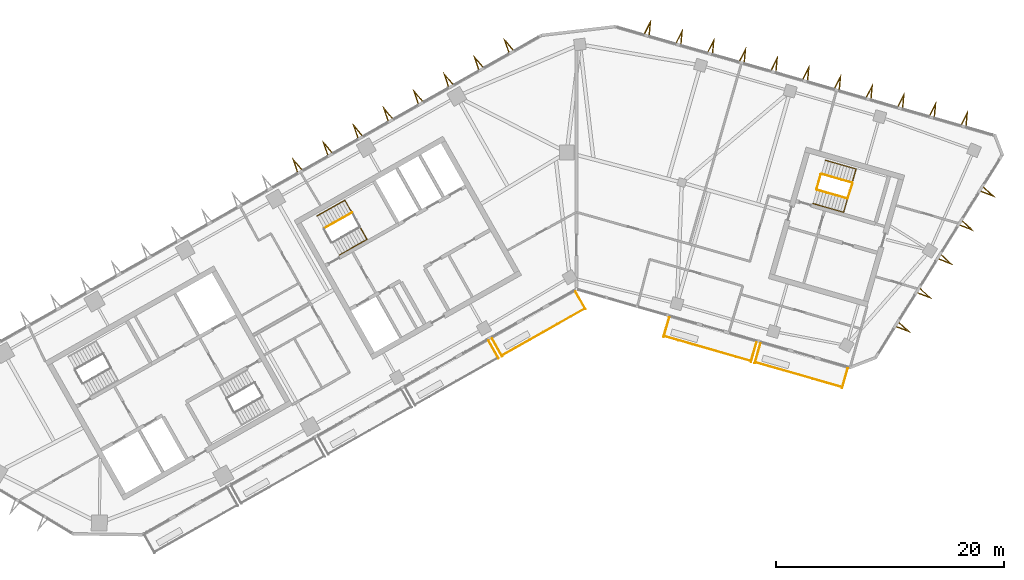
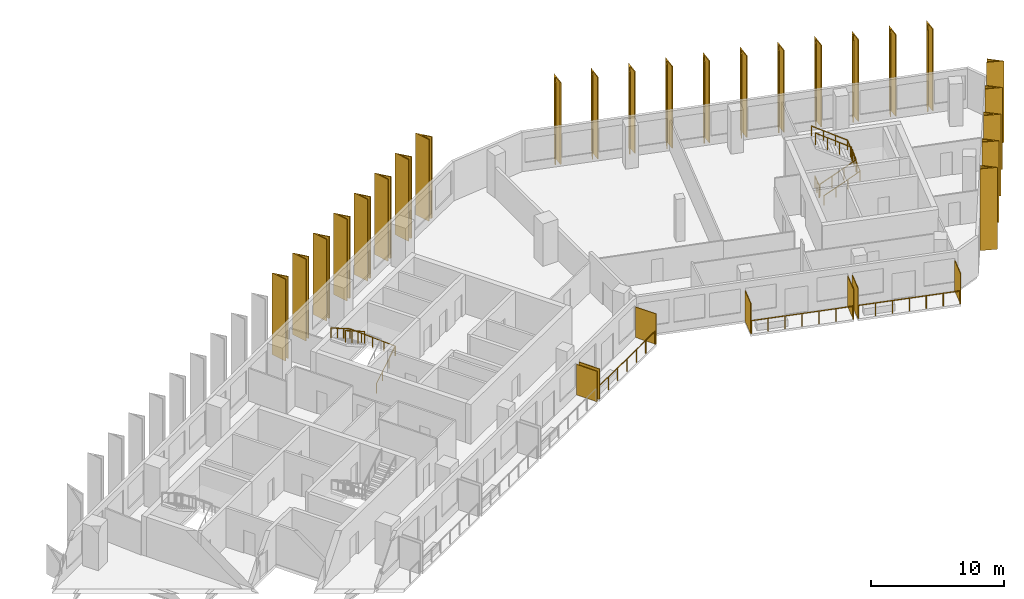
# One storey, part 11 of 12: 31 shading devices, 9 railings.
"""IFC4 building model written with IfcOpenShell, lengths in metres."""

from ifc_helpers import new_model, si_unit, direction, frame, origin, origin_2d, place, context, subcontext, project, spatial, polyline, rectangle, circle, outline, extrude, material, layer, layer_set, type_object, element, save


model = new_model("IFC4")

# Units and contexts
model_context = context("Model", 3, precision=1e-05, world=origin(), true_north=direction((0.0, 1.0)))
body_context = subcontext(model_context, "Body", "Model", "MODEL_VIEW")
ifc_project = project(units=[si_unit("LENGTHUNIT", "METRE"), si_unit("AREAUNIT", "SQUARE_METRE"), si_unit("VOLUMEUNIT", "CUBIC_METRE"), si_unit("PLANEANGLEUNIT", "RADIAN"), si_unit("MASSUNIT", "GRAM", prefix="KILO")], contexts=[model_context])

# Site, building, storey
site_placement = place(None, origin())
site = spatial("IfcSite", under=ifc_project, at=site_placement, CompositionType="ELEMENT")
building_placement = place(site_placement, origin())
building = spatial("IfcBuilding", under=site, at=building_placement, Name="Binnacle Exchange Tower", CompositionType="ELEMENT")
storey_placement = place(building_placement, frame((0.0, 0.0, 215.300048828125)))
storey = spatial("IfcBuildingStorey", under=building, at=storey_placement, Name="L47", CompositionType="ELEMENT", Elevation=215.300048828125)

# Railings
ifc_material_1 = material(Name="Bronze anodised aluminium frame", Category="aluminium")
railing_type_1 = type_object("IfcRailingType", Name="GUARD 1200", PredefinedType="GUARDRAIL", material=ifc_material_1)
railing_1_placement = place(storey_placement, frame((-6.5283203125, 42.186767578125, 0.0)))
element("IfcRailing", 1, at=railing_1_placement, inside=storey, type_object=railing_type_1, Name="Balcony guard G01-B04 L47", PredefinedType="GUARDRAIL", context=body_context, shape_type="SweptSolid", body=[
    extrude(circle(Radius=0.02392578125, at=origin_2d()), frame((0.0, 0.0, 1.17578125), z_axis=(0.870365821494, 0.492405662818, 0.0), x_axis=(-0.492405662818, 0.870365821494, 0.0)), (0.0, 0.0, 1.0), 8.334716796875),
    extrude(circle(Radius=0.02099609375, at=origin_2d()), origin(), (0.0, 0.0, 1.0), 1.15185546875),
    extrude(circle(Radius=0.02099609375, at=origin_2d()), frame((1.208984375, 0.68408203125, 0.0)), (0.0, 0.0, 1.0), 1.15185546875),
    extrude(circle(Radius=0.02099609375, at=origin_2d()), frame((2.41796875, 1.367919921875, 0.0)), (0.0, 0.0, 1.0), 1.15185546875),
    extrude(circle(Radius=0.02099609375, at=origin_2d()), frame((3.626953125, 2.052001953125, 0.0)), (0.0, 0.0, 1.0), 1.15185546875),
    extrude(circle(Radius=0.02099609375, at=origin_2d()), frame((4.836181640625, 2.736083984375, 0.0)), (0.0, 0.0, 1.0), 1.15185546875),
    extrude(circle(Radius=0.02099609375, at=origin_2d()), frame((6.045166015625, 3.419921875, 0.0)), (0.0, 0.0, 1.0), 1.15185546875),
    extrude(circle(Radius=0.02099609375, at=origin_2d()), frame((7.254150390625, 4.10400390625, 0.0)), (0.0, 0.0, 1.0), 1.15185546875),
])
railing_2_placement = place(storey_placement, frame((7.69140625, 43.875244140625, 0.0)))
element("IfcRailing", 2, at=railing_2_placement, inside=storey, type_object=railing_type_1, Name="Balcony guard G02-B01 L47", PredefinedType="GUARDRAIL", context=body_context, shape_type="SweptSolid", body=[
    extrude(circle(Radius=0.02392578125, at=origin_2d()), frame((0.0, 0.0, 1.17578125), z_axis=(0.961259965977, -0.275643388836, 0.0), x_axis=(0.275643388836, 0.961259965977, 0.0)), (0.0, 0.0, 1.0), 7.900634765625),
    extrude(circle(Radius=0.02099609375, at=origin_2d()), origin(), (0.0, 0.0, 1.0), 1.15185546875),
    extrude(circle(Radius=0.02099609375, at=origin_2d()), frame((1.265625, -0.363037109375, 0.0)), (0.0, 0.0, 1.0), 1.15185546875),
    extrude(circle(Radius=0.02099609375, at=origin_2d()), frame((2.531494140625, -0.725830078125, 0.0)), (0.0, 0.0, 1.0), 1.15185546875),
    extrude(circle(Radius=0.02099609375, at=origin_2d()), frame((3.79736328125, -1.0888671875, 0.0)), (0.0, 0.0, 1.0), 1.15185546875),
    extrude(circle(Radius=0.02099609375, at=origin_2d()), frame((5.06298828125, -1.451904296875, 0.0)), (0.0, 0.0, 1.0), 1.15185546875),
    extrude(circle(Radius=0.02099609375, at=origin_2d()), frame((6.32861328125, -1.814697265625, 0.0)), (0.0, 0.0, 1.0), 1.15185546875),
    extrude(circle(Radius=0.02099609375, at=origin_2d()), frame((7.594482421875, -2.177734375, 0.0)), (0.0, 0.0, 1.0), 1.15185546875),
])
railing_3_placement = place(storey_placement, frame((15.689453125, 41.581787109375, 0.0)))
element("IfcRailing", 3, at=railing_3_placement, inside=storey, type_object=railing_type_1, Name="Balcony guard G02-B02 L47", PredefinedType="GUARDRAIL", context=body_context, shape_type="SweptSolid", body=[
    extrude(circle(Radius=0.02392578125, at=origin_2d()), frame((0.0, 0.0, 1.17578125), z_axis=(0.961257617982, -0.275651576943, 0.0), x_axis=(0.275651576943, 0.961257617982, 0.0)), (0.0, 0.0, 1.0), 7.900390625),
    extrude(circle(Radius=0.02099609375, at=origin_2d()), origin(), (0.0, 0.0, 1.0), 1.15185546875),
    extrude(circle(Radius=0.02099609375, at=origin_2d()), frame((1.265625, -0.363037109375, 0.0)), (0.0, 0.0, 1.0), 1.15185546875),
    extrude(circle(Radius=0.02099609375, at=origin_2d()), frame((2.531494140625, -0.725830078125, 0.0)), (0.0, 0.0, 1.0), 1.15185546875),
    extrude(circle(Radius=0.02099609375, at=origin_2d()), frame((3.797119140625, -1.0888671875, 0.0)), (0.0, 0.0, 1.0), 1.15185546875),
    extrude(circle(Radius=0.02099609375, at=origin_2d()), frame((5.062744140625, -1.451904296875, 0.0)), (0.0, 0.0, 1.0), 1.15185546875),
    extrude(circle(Radius=0.02099609375, at=origin_2d()), frame((6.32861328125, -1.814697265625, 0.0)), (0.0, 0.0, 1.0), 1.15185546875),
    extrude(circle(Radius=0.02099609375, at=origin_2d()), frame((7.59423828125, -2.177734375, 0.0)), (0.0, 0.0, 1.0), 1.15185546875),
])

# Shading devices
ifc_material_2 = material(Name="Bronze aluminium louvre", Category="aluminium")
ifc_layer = layer(ifc_material_2, 0.06005859375)
ifc_layer_set = layer_set([ifc_layer], Name="PLANTED SCREEN 60x2800")
shading_device_type_1 = type_object("IfcShadingDeviceType", Name="PLANTED SCREEN 60x2800", PredefinedType="USERDEFINED", material=ifc_layer_set)
for number, where, z_axis, x_axis, name in (
    (4, (-7.271484375, 42.70849609375, 0.0), (0.0, 0.0, 1.0), (0.87035569594, 0.492423560103, 0.0), "Planted screen G01-B03b L47"),
    (5, (-6.9580078125, 42.885498046875, 0.0), (0.0, 0.0, 1.0), (0.87035569594, 0.492423560103, 0.0), "Planted screen G01-B04a L47"),
    (6, (0.34814453125, 47.019287109375, 0.0), (0.0, 0.0, 1.0), (0.87035569594, 0.492423560103, 0.0), "Planted screen G01-B04b L47"),
    (7, (7.888671875, 44.671630859375, 0.0), (0.0, 0.0, 1.0), (0.961261695938, -0.275637355817, 0.0), "Planted screen G02-B01a L47"),
    (8, (15.54052734375, 42.4775390625, 0.0), (0.0, 0.0, 1.0), (0.961261695938, -0.275637355817, 0.0), "Planted screen G02-B01b L47"),
    (9, (15.88671875, 42.37841796875, 0.0), (0.0, 0.0, 1.0), (0.961261695938, -0.275637355817, 0.0), "Planted screen G02-B02a L47"),
    (10, (23.538818359375, 40.18408203125, 0.0), (0.0, 0.0, 1.0), (0.961261695938, -0.275637355817, 0.0), "Planted screen G02-B02b L47"),
):
    element("IfcShadingDevice", number, at=place(storey_placement, frame(where, z_axis=z_axis, x_axis=x_axis)), inside=storey, type_object=shading_device_type_1, Name=name, ObjectType="SCREEN", PredefinedType="USERDEFINED", context=body_context, shape_type="SweptSolid", body=[
        extrude(rectangle(XDim=0.06005859375, YDim=1.800048828125, at=origin_2d()), origin(), (0.0, 0.0, 1.0), 2.800048828125),
    ])

# Railings
ifc_material_3 = material(Name="Steel guard rail", Category="steel")
railing_type_2 = type_object("IfcRailingType", Name="STAIR GUARD 1100", PredefinedType="GUARDRAIL", material=ifc_material_3)
railing_4_placement = place(storey_placement, frame((-19.70068359375, 54.71337890625, 2.127197265625)))
element("IfcRailing", 11, at=railing_4_placement, inside=storey, type_object=railing_type_2, Name="L47 STC1 stair guard 2", PredefinedType="GUARDRAIL", context=body_context, shape_type="SweptSolid", body=[
    extrude(circle(Radius=0.02392578125, at=origin_2d()), frame((0.0, 0.0, 1.076171875), z_axis=(-0.735381288273, -0.416018647052, 0.534923215202), x_axis=(0.492387636113, -0.870376019777, 0.0)), (0.0, 0.0, 1.0), 3.31396484375),
    extrude(circle(Radius=0.02099609375, at=origin_2d()), origin(), (0.0, 0.0, 1.0), 1.052001953125),
    extrude(circle(Radius=0.02099609375, at=origin_2d()), frame((-0.812255859375, -0.45947265625, 0.5908203125)), (0.0, 0.0, 1.0), 1.052001953125),
    extrude(circle(Radius=0.02099609375, at=origin_2d()), frame((-1.624755859375, -0.919189453125, 1.181884765625)), (0.0, 0.0, 1.0), 1.052001953125),
    extrude(circle(Radius=0.02099609375, at=origin_2d()), frame((-2.43701171875, -1.378662109375, 1.772705078125)), (0.0, 0.0, 1.0), 1.052001953125),
])
railing_5_placement = place(storey_placement, frame((21.086669921875, 56.71044921875, 0.17724609375)))
element("IfcRailing", 12, at=railing_5_placement, inside=storey, type_object=railing_type_2, Name="L47 STD1 stair guard 1", PredefinedType="GUARDRAIL", context=body_context, shape_type="SweptSolid", body=[
    extrude(circle(Radius=0.02392578125, at=origin_2d()), frame((0.0, 0.0, 1.076171875), z_axis=(0.81215085225, -0.232948203448, 0.534926282491), x_axis=(0.275711388614, 0.96124046429, 0.0)), (0.0, 0.0, 1.0), 3.31396484375),
    extrude(circle(Radius=0.02392578125, at=origin_2d()), frame((2.69140625, -0.77197265625, 2.8486328125), z_axis=(0.309842533299, 0.950787886208, 0.0), x_axis=(-0.950787886208, 0.309842533299, 0.0)), (0.0, 0.0, 1.0), 1.40087890625),
    extrude(circle(Radius=0.02099609375, at=origin_2d()), origin(), (0.0, 0.0, 1.0), 1.052001953125),
    extrude(circle(Radius=0.02099609375, at=origin_2d()), frame((0.897216796875, -0.25732421875, 0.5908203125)), (0.0, 0.0, 1.0), 1.052001953125),
    extrude(circle(Radius=0.02099609375, at=origin_2d()), frame((1.794189453125, -0.5146484375, 1.181884765625)), (0.0, 0.0, 1.0), 1.052001953125),
    extrude(circle(Radius=0.02099609375, at=origin_2d()), frame((2.69140625, -0.77197265625, 1.772705078125)), (0.0, 0.0, 1.0), 1.052001953125),
    extrude(circle(Radius=0.02099609375, at=origin_2d()), frame((2.908447265625, -0.10595703125, 1.772705078125)), (0.0, 0.0, 1.0), 1.052001953125),
    extrude(circle(Radius=0.02099609375, at=origin_2d()), frame((3.12548828125, 0.56005859375, 1.772705078125)), (0.0, 0.0, 1.0), 1.052001953125),
])
railing_6_placement = place(storey_placement, frame((24.177734375, 57.332275390625, 2.127197265625)))
element("IfcRailing", 13, at=railing_6_placement, inside=storey, type_object=railing_type_2, Name="L47 STD1 stair guard 2", PredefinedType="GUARDRAIL", context=body_context, shape_type="SweptSolid", body=[
    extrude(circle(Radius=0.02392578125, at=origin_2d()), frame((0.0, 0.0, 1.076171875), z_axis=(-0.81215085225, 0.232948203448, 0.534926282491), x_axis=(-0.275711388614, -0.96124046429, 0.0)), (0.0, 0.0, 1.0), 3.31396484375),
    extrude(circle(Radius=0.02099609375, at=origin_2d()), origin(), (0.0, 0.0, 1.0), 1.052001953125),
    extrude(circle(Radius=0.02099609375, at=origin_2d()), frame((-0.897216796875, 0.25732421875, 0.5908203125)), (0.0, 0.0, 1.0), 1.052001953125),
    extrude(circle(Radius=0.02099609375, at=origin_2d()), frame((-1.794189453125, 0.5146484375, 1.181884765625)), (0.0, 0.0, 1.0), 1.052001953125),
    extrude(circle(Radius=0.02099609375, at=origin_2d()), frame((-2.69140625, 0.77197265625, 1.772705078125)), (0.0, 0.0, 1.0), 1.052001953125),
])
railing_7_placement = place(storey_placement, frame((21.05224609375, 56.772216796875, 0.0)))
element("IfcRailing", 14, at=railing_7_placement, inside=storey, type_object=railing_type_2, Name="L47 STD1 stair guard 3", PredefinedType="GUARDRAIL", context=body_context, shape_type="SweptSolid", body=[
    extrude(circle(Radius=0.02392578125, at=origin_2d()), frame((0.0, 0.0, 1.076171875), z_axis=(0.275795817769, 0.961216243569, 0.0), x_axis=(-0.961216243569, 0.275795817769, 0.0)), (0.0, 0.0, 1.0), 1.349853515625),
    extrude(circle(Radius=0.02099609375, at=origin_2d()), origin(), (0.0, 0.0, 1.0), 1.052001953125),
    extrude(circle(Radius=0.02099609375, at=origin_2d()), frame((0.18603515625, 0.64892578125, 0.0)), (0.0, 0.0, 1.0), 1.052001953125),
    extrude(circle(Radius=0.02099609375, at=origin_2d()), frame((0.372314453125, 1.297607421875, 0.0)), (0.0, 0.0, 1.0), 1.052001953125),
])
ifc_material_4 = material(Name="Steel handrail", Category="steel")
railing_type_3 = type_object("IfcRailingType", Name="STAIR HANDRAIL 900", PredefinedType="HANDRAIL", material=ifc_material_4)
railing_8_placement = place(storey_placement, frame((-20.808349609375, 50.984619140625, 0.17724609375)))
element("IfcRailing", 15, at=railing_8_placement, inside=storey, type_object=railing_type_3, Name="L47 STC1 stair handrail 1", PredefinedType="HANDRAIL", context=body_context, shape_type="SweptSolid", body=[
    extrude(circle(Radius=0.02392578125, at=origin_2d()), frame((0.0, 0.0, 0.8759765625), z_axis=(0.735358749054, 0.416079564682, 0.534906819964), x_axis=(-0.492453686477, 0.870338650569, 0.0)), (0.0, 0.0, 1.0), 3.31396484375),
    extrude(circle(Radius=0.02392578125, at=origin_2d()), frame((2.43701171875, 1.37890625, 2.6484375), z_axis=(-0.491945051309, 0.869471352766, 0.044828932754), x_axis=(-0.87034633103, -0.492440112159, 0.0)), (0.0, 0.0, 1.0), 3.953857421875),
    extrude(circle(Radius=0.02392578125, at=origin_2d()), frame((0.491943359375, 4.816650390625, 2.82568359375), z_axis=(-0.735381288273, -0.416018647052, 0.534923215202), x_axis=(0.492387636113, -0.870376019777, 0.0)), (0.0, 0.0, 1.0), 3.31396484375),
    extrude(circle(Radius=0.02099609375, at=origin_2d()), origin(), (0.0, 0.0, 1.0), 0.851806640625),
    extrude(circle(Radius=0.02099609375, at=origin_2d()), frame((0.812255859375, 0.459716796875, 0.5908203125)), (0.0, 0.0, 1.0), 0.851806640625),
    extrude(circle(Radius=0.02099609375, at=origin_2d()), frame((1.624755859375, 0.919189453125, 1.181884765625)), (0.0, 0.0, 1.0), 0.851806640625),
    extrude(circle(Radius=0.02099609375, at=origin_2d()), frame((2.43701171875, 1.37890625, 1.772705078125)), (0.0, 0.0, 1.0), 0.851806640625),
    extrude(circle(Radius=0.02099609375, at=origin_2d()), frame((1.95068359375, 2.23828125, 1.81689453125)), (0.0, 0.0, 1.0), 0.851806640625),
    extrude(circle(Radius=0.02099609375, at=origin_2d()), frame((1.46435546875, 3.09765625, 1.861328125)), (0.0, 0.0, 1.0), 0.851806640625),
    extrude(circle(Radius=0.02099609375, at=origin_2d()), frame((0.978271484375, 3.957275390625, 1.90576171875)), (0.0, 0.0, 1.0), 0.851806640625),
    extrude(circle(Radius=0.02099609375, at=origin_2d()), frame((0.491943359375, 4.816650390625, 1.949951171875)), (0.0, 0.0, 1.0), 0.851806640625),
    extrude(circle(Radius=0.02099609375, at=origin_2d()), frame((-0.3203125, 4.357177734375, 2.540771484375)), (0.0, 0.0, 1.0), 0.851806640625),
    extrude(circle(Radius=0.02099609375, at=origin_2d()), frame((-1.1328125, 3.8974609375, 3.1318359375)), (0.0, 0.0, 1.0), 0.851806640625),
    extrude(circle(Radius=0.02099609375, at=origin_2d()), frame((-1.945068359375, 3.43798828125, 3.72265625)), (0.0, 0.0, 1.0), 0.851806640625),
])
railing_9_placement = place(storey_placement, frame((20.7421875, 55.5087890625, 0.17724609375)))
element("IfcRailing", 16, at=railing_9_placement, inside=storey, type_object=railing_type_3, Name="L47 STD1 stair handrail 1", PredefinedType="HANDRAIL", context=body_context, shape_type="SweptSolid", body=[
    extrude(circle(Radius=0.02392578125, at=origin_2d()), frame((0.0, 0.0, 0.8759765625), z_axis=(0.812164788183, -0.232878528252, 0.534935461448), x_axis=(0.275630818758, 0.961263570386, 0.0)), (0.0, 0.0, 1.0), 3.31396484375),
    extrude(circle(Radius=0.02392578125, at=origin_2d()), frame((2.69140625, -0.771728515625, 2.6484375), z_axis=(0.275390828663, 0.960286584611, 0.044828193186), x_axis=(-0.961252921364, 0.275667954558, 0.0)), (0.0, 0.0, 1.0), 3.953857421875),
    extrude(circle(Radius=0.02392578125, at=origin_2d()), frame((3.7802734375, 3.025146484375, 2.82568359375), z_axis=(-0.812189863168, 0.232864594782, 0.534903455461), x_axis=(-0.27560771734, -0.96127019414, 0.0)), (0.0, 0.0, 1.0), 3.31396484375),
    extrude(circle(Radius=0.02099609375, at=origin_2d()), origin(), (0.0, 0.0, 1.0), 0.851806640625),
    extrude(circle(Radius=0.02099609375, at=origin_2d()), frame((0.897216796875, -0.25732421875, 0.5908203125)), (0.0, 0.0, 1.0), 0.851806640625),
    extrude(circle(Radius=0.02099609375, at=origin_2d()), frame((1.794189453125, -0.514404296875, 1.181884765625)), (0.0, 0.0, 1.0), 0.851806640625),
    extrude(circle(Radius=0.02099609375, at=origin_2d()), frame((2.69140625, -0.771728515625, 1.772705078125)), (0.0, 0.0, 1.0), 0.851806640625),
    extrude(circle(Radius=0.02099609375, at=origin_2d()), frame((2.963623046875, 0.177490234375, 1.81689453125)), (0.0, 0.0, 1.0), 0.851806640625),
    extrude(circle(Radius=0.02099609375, at=origin_2d()), frame((3.23583984375, 1.126708984375, 1.861328125)), (0.0, 0.0, 1.0), 0.851806640625),
    extrude(circle(Radius=0.02099609375, at=origin_2d()), frame((3.508056640625, 2.075927734375, 1.90576171875)), (0.0, 0.0, 1.0), 0.851806640625),
    extrude(circle(Radius=0.02099609375, at=origin_2d()), frame((3.7802734375, 3.025146484375, 1.949951171875)), (0.0, 0.0, 1.0), 0.851806640625),
    extrude(circle(Radius=0.02099609375, at=origin_2d()), frame((2.883056640625, 3.282470703125, 2.540771484375)), (0.0, 0.0, 1.0), 0.851806640625),
    extrude(circle(Radius=0.02099609375, at=origin_2d()), frame((1.98583984375, 3.53955078125, 3.1318359375)), (0.0, 0.0, 1.0), 0.851806640625),
    extrude(circle(Radius=0.02099609375, at=origin_2d()), frame((1.088623046875, 3.796875, 3.72265625)), (0.0, 0.0, 1.0), 0.851806640625),
])

# Shading devices
ifc_material_5 = material(Name="Bronze aluminium cladding", Category="aluminium")
shading_device_type_2 = type_object("IfcShadingDeviceType", Name="V FIN 1300 DEEP x 7520 HIGH", PredefinedType="USERDEFINED", material=ifc_material_5)
shading_device_1_placement = place(storey_placement, origin())
element("IfcShadingDevice", 17, at=shading_device_1_placement, inside=storey, type_object=shading_device_type_2, Name="V fin FN-G04-01 L47", ObjectType="FIN", PredefinedType="USERDEFINED", context=body_context, shape_type="SweptSolid", body=[
    extrude(outline(polyline([(28.05908203125, 44.668212890625), (29.294189453125, 44.19140625), (28.32421875, 45.09228515625), (28.281005859375, 45.023193359375), (28.934814453125, 44.416015625), (28.102294921875, 44.7373046875), (28.05908203125, 44.668212890625)])), origin(), (0.0, 0.0, 1.0), 7.52001953125),
])
shading_device_2_placement = place(storey_placement, origin())
element("IfcShadingDevice", 18, at=shading_device_2_placement, inside=storey, type_object=shading_device_type_2, Name="V fin FN-G04-02 L47", ObjectType="FIN", PredefinedType="USERDEFINED", context=body_context, shape_type="SweptSolid", body=[
    extrude(outline(polyline([(29.913818359375, 47.636474609375), (31.14892578125, 47.15966796875), (30.178955078125, 48.060546875), (30.1357421875, 47.991455078125), (30.78955078125, 47.384033203125), (29.95703125, 47.70556640625), (29.913818359375, 47.636474609375)])), origin(), (0.0, 0.0, 1.0), 7.52001953125),
])
shading_device_3_placement = place(storey_placement, origin())
element("IfcShadingDevice", 19, at=shading_device_3_placement, inside=storey, type_object=shading_device_type_2, Name="V fin FN-G04-03 L47", ObjectType="FIN", PredefinedType="USERDEFINED", context=body_context, shape_type="SweptSolid", body=[
    extrude(outline(polyline([(31.768798828125, 50.604736328125), (33.003662109375, 50.127685546875), (32.03369140625, 51.02880859375), (31.990478515625, 50.959716796875), (32.644287109375, 50.352294921875), (31.81201171875, 50.673828125), (31.768798828125, 50.604736328125)])), origin(), (0.0, 0.0, 1.0), 7.52001953125),
])
shading_device_4_placement = place(storey_placement, origin())
element("IfcShadingDevice", 20, at=shading_device_4_placement, inside=storey, type_object=shading_device_type_2, Name="V fin FN-G04-04 L47", ObjectType="FIN", PredefinedType="USERDEFINED", context=body_context, shape_type="SweptSolid", body=[
    extrude(outline(polyline([(33.623291015625, 53.57275390625), (34.8583984375, 53.095947265625), (33.888427734375, 53.996826171875), (33.84521484375, 53.927734375), (34.4990234375, 53.3203125), (33.66650390625, 53.641845703125), (33.623291015625, 53.57275390625)])), origin(), (0.0, 0.0, 1.0), 7.52001953125),
])
shading_device_5_placement = place(storey_placement, origin())
element("IfcShadingDevice", 21, at=shading_device_5_placement, inside=storey, type_object=shading_device_type_2, Name="V fin FN-G04-05 L47", ObjectType="FIN", PredefinedType="USERDEFINED", context=body_context, shape_type="SweptSolid", body=[
    extrude(outline(polyline([(35.47802734375, 56.541015625), (36.713134765625, 56.064208984375), (35.7431640625, 56.965087890625), (35.699951171875, 56.89599609375), (36.353759765625, 56.28857421875), (35.521240234375, 56.610107421875), (35.47802734375, 56.541015625)])), origin(), (0.0, 0.0, 1.0), 7.52001953125),
])
shading_device_6_placement = place(storey_placement, origin())
element("IfcShadingDevice", 22, at=shading_device_6_placement, inside=storey, type_object=shading_device_type_2, Name="V fin FN-G06-01 L47", ObjectType="FIN", PredefinedType="USERDEFINED", context=body_context, shape_type="SweptSolid", body=[
    extrude(outline(polyline([(34.2080078125, 62.321044921875), (34.325927734375, 63.639404296875), (33.727294921875, 62.458740234375), (33.8056640625, 62.436279296875), (34.209228515625, 63.232421875), (34.129638671875, 62.343505859375), (34.2080078125, 62.321044921875)])), origin(), (0.0, 0.0, 1.0), 7.52001953125),
])
shading_device_7_placement = place(storey_placement, origin())
element("IfcShadingDevice", 23, at=shading_device_7_placement, inside=storey, type_object=shading_device_type_2, Name="V fin FN-G06-02 L47", ObjectType="FIN", PredefinedType="USERDEFINED", context=body_context, shape_type="SweptSolid", body=[
    extrude(outline(polyline([(31.428955078125, 63.117919921875), (31.547119140625, 64.436279296875), (30.948486328125, 63.255615234375), (31.026611328125, 63.2333984375), (31.430419921875, 64.029296875), (31.3505859375, 63.140380859375), (31.428955078125, 63.117919921875)])), origin(), (0.0, 0.0, 1.0), 7.52001953125),
])
shading_device_8_placement = place(storey_placement, origin())
element("IfcShadingDevice", 24, at=shading_device_8_placement, inside=storey, type_object=shading_device_type_2, Name="V fin FN-G06-03 L47", ObjectType="FIN", PredefinedType="USERDEFINED", context=body_context, shape_type="SweptSolid", body=[
    extrude(outline(polyline([(28.64990234375, 63.914794921875), (28.76806640625, 65.2333984375), (28.16943359375, 64.052490234375), (28.247802734375, 64.0302734375), (28.6513671875, 64.826171875), (28.57177734375, 63.937255859375), (28.64990234375, 63.914794921875)])), origin(), (0.0, 0.0, 1.0), 7.52001953125),
])
shading_device_9_placement = place(storey_placement, origin())
element("IfcShadingDevice", 25, at=shading_device_9_placement, inside=storey, type_object=shading_device_type_2, Name="V fin FN-G06-04 L47", ObjectType="FIN", PredefinedType="USERDEFINED", context=body_context, shape_type="SweptSolid", body=[
    extrude(outline(polyline([(25.87109375, 64.711669921875), (25.989013671875, 66.030029296875), (25.390380859375, 64.849365234375), (25.46875, 64.826904296875), (25.872314453125, 65.622802734375), (25.792724609375, 64.73388671875), (25.87109375, 64.711669921875)])), origin(), (0.0, 0.0, 1.0), 7.52001953125),
])
shading_device_10_placement = place(storey_placement, origin())
element("IfcShadingDevice", 26, at=shading_device_10_placement, inside=storey, type_object=shading_device_type_2, Name="V fin FN-G06-05 L47", ObjectType="FIN", PredefinedType="USERDEFINED", context=body_context, shape_type="SweptSolid", body=[
    extrude(outline(polyline([(23.092041015625, 65.508544921875), (23.210205078125, 66.826904296875), (22.611572265625, 65.646240234375), (22.689697265625, 65.623779296875), (23.093505859375, 66.419921875), (23.013916015625, 65.531005859375), (23.092041015625, 65.508544921875)])), origin(), (0.0, 0.0, 1.0), 7.52001953125),
])
shading_device_11_placement = place(storey_placement, origin())
element("IfcShadingDevice", 27, at=shading_device_11_placement, inside=storey, type_object=shading_device_type_2, Name="V fin FN-G06-06 L47", ObjectType="FIN", PredefinedType="USERDEFINED", context=body_context, shape_type="SweptSolid", body=[
    extrude(outline(polyline([(20.31298828125, 66.305419921875), (20.43115234375, 67.623779296875), (19.83251953125, 66.443115234375), (19.910888671875, 66.420654296875), (20.314453125, 67.216552734375), (20.23486328125, 66.32763671875), (20.31298828125, 66.305419921875)])), origin(), (0.0, 0.0, 1.0), 7.52001953125),
])
shading_device_12_placement = place(storey_placement, origin())
element("IfcShadingDevice", 28, at=shading_device_12_placement, inside=storey, type_object=shading_device_type_2, Name="V fin FN-G06-07 L47", ObjectType="FIN", PredefinedType="USERDEFINED", context=body_context, shape_type="SweptSolid", body=[
    extrude(outline(polyline([(17.5341796875, 67.102294921875), (17.652099609375, 68.420654296875), (17.053466796875, 67.239990234375), (17.1318359375, 67.217529296875), (17.535400390625, 68.013427734375), (17.455810546875, 67.12451171875), (17.5341796875, 67.102294921875)])), origin(), (0.0, 0.0, 1.0), 7.52001953125),
])
shading_device_13_placement = place(storey_placement, origin())
element("IfcShadingDevice", 29, at=shading_device_13_placement, inside=storey, type_object=shading_device_type_2, Name="V fin FN-G06-08 L47", ObjectType="FIN", PredefinedType="USERDEFINED", context=body_context, shape_type="SweptSolid", body=[
    extrude(outline(polyline([(14.755126953125, 67.899169921875), (14.873046875, 69.217529296875), (14.2744140625, 68.036865234375), (14.352783203125, 68.014404296875), (14.75634765625, 68.810302734375), (14.6767578125, 67.92138671875), (14.755126953125, 67.899169921875)])), origin(), (0.0, 0.0, 1.0), 7.52001953125),
])
shading_device_14_placement = place(storey_placement, origin())
element("IfcShadingDevice", 30, at=shading_device_14_placement, inside=storey, type_object=shading_device_type_2, Name="V fin FN-G06-09 L47", ObjectType="FIN", PredefinedType="USERDEFINED", context=body_context, shape_type="SweptSolid", body=[
    extrude(outline(polyline([(11.97607421875, 68.69580078125), (12.093994140625, 70.014404296875), (11.49560546875, 68.833740234375), (11.57373046875, 68.811279296875), (11.977294921875, 69.607177734375), (11.897705078125, 68.71826171875), (11.97607421875, 68.69580078125)])), origin(), (0.0, 0.0, 1.0), 7.52001953125),
])
shading_device_15_placement = place(storey_placement, origin())
element("IfcShadingDevice", 31, at=shading_device_15_placement, inside=storey, type_object=shading_device_type_2, Name="V fin FN-G06-10 L47", ObjectType="FIN", PredefinedType="USERDEFINED", context=body_context, shape_type="SweptSolid", body=[
    extrude(outline(polyline([(9.197265625, 69.492919921875), (9.315185546875, 70.811279296875), (8.716552734375, 69.630615234375), (8.794921875, 69.608154296875), (9.198486328125, 70.404052734375), (9.118896484375, 69.51513671875), (9.197265625, 69.492919921875)])), origin(), (0.0, 0.0, 1.0), 7.52001953125),
])
shading_device_16_placement = place(storey_placement, origin())
element("IfcShadingDevice", 32, at=shading_device_16_placement, inside=storey, type_object=shading_device_type_2, Name="V fin FN-G06-11 L47", ObjectType="FIN", PredefinedType="USERDEFINED", context=body_context, shape_type="SweptSolid", body=[
    extrude(outline(polyline([(6.418212890625, 70.28955078125), (6.5361328125, 71.608154296875), (5.9375, 70.427490234375), (6.015869140625, 70.405029296875), (6.41943359375, 71.200927734375), (6.33984375, 70.31201171875), (6.418212890625, 70.28955078125)])), origin(), (0.0, 0.0, 1.0), 7.52001953125),
])
shading_device_17_placement = place(storey_placement, origin())
element("IfcShadingDevice", 33, at=shading_device_17_placement, inside=storey, type_object=shading_device_type_2, Name="V fin FN-G08-01 L47", ObjectType="FIN", PredefinedType="USERDEFINED", context=body_context, shape_type="SweptSolid", body=[
    extrude(outline(polyline([(-5.538818359375, 69.009765625), (-6.396728515625, 70.018310546875), (-5.97412109375, 68.763671875), (-5.9033203125, 68.8037109375), (-6.18798828125, 69.6494140625), (-5.60986328125, 68.9697265625), (-5.538818359375, 69.009765625)])), origin(), (0.0, 0.0, 1.0), 7.52001953125),
])
shading_device_18_placement = place(storey_placement, origin())
element("IfcShadingDevice", 34, at=shading_device_18_placement, inside=storey, type_object=shading_device_type_2, Name="V fin FN-G08-02 L47", ObjectType="FIN", PredefinedType="USERDEFINED", context=body_context, shape_type="SweptSolid", body=[
    extrude(outline(polyline([(-8.187744140625, 67.51123046875), (-9.04541015625, 68.51953125), (-8.622802734375, 67.264892578125), (-8.552001953125, 67.30517578125), (-8.8369140625, 68.15087890625), (-8.258544921875, 67.47119140625), (-8.187744140625, 67.51123046875)])), origin(), (0.0, 0.0, 1.0), 7.52001953125),
])
shading_device_19_placement = place(storey_placement, origin())
element("IfcShadingDevice", 35, at=shading_device_19_placement, inside=storey, type_object=shading_device_type_2, Name="V fin FN-G08-03 L47", ObjectType="FIN", PredefinedType="USERDEFINED", context=body_context, shape_type="SweptSolid", body=[
    extrude(outline(polyline([(-10.83642578125, 66.0126953125), (-11.694091796875, 67.02099609375), (-11.271484375, 65.766357421875), (-11.20068359375, 65.806396484375), (-11.485595703125, 66.65234375), (-10.9072265625, 65.972412109375), (-10.83642578125, 66.0126953125)])), origin(), (0.0, 0.0, 1.0), 7.52001953125),
])
shading_device_20_placement = place(storey_placement, origin())
element("IfcShadingDevice", 36, at=shading_device_20_placement, inside=storey, type_object=shading_device_type_2, Name="V fin FN-G08-04 L47", ObjectType="FIN", PredefinedType="USERDEFINED", context=body_context, shape_type="SweptSolid", body=[
    extrude(outline(polyline([(-13.485107421875, 64.51416015625), (-14.343017578125, 65.5224609375), (-13.92041015625, 64.267822265625), (-13.849365234375, 64.30810546875), (-14.13427734375, 65.15380859375), (-13.555908203125, 64.47412109375), (-13.485107421875, 64.51416015625)])), origin(), (0.0, 0.0, 1.0), 7.52001953125),
])
shading_device_21_placement = place(storey_placement, origin())
element("IfcShadingDevice", 37, at=shading_device_21_placement, inside=storey, type_object=shading_device_type_2, Name="V fin FN-G08-05 L47", ObjectType="FIN", PredefinedType="USERDEFINED", context=body_context, shape_type="SweptSolid", body=[
    extrude(outline(polyline([(-16.1337890625, 63.015380859375), (-16.99169921875, 64.02392578125), (-16.569091796875, 62.769287109375), (-16.498046875, 62.809326171875), (-16.782958984375, 63.6552734375), (-16.20458984375, 62.975341796875), (-16.1337890625, 63.015380859375)])), origin(), (0.0, 0.0, 1.0), 7.52001953125),
])
shading_device_22_placement = place(storey_placement, origin())
element("IfcShadingDevice", 38, at=shading_device_22_placement, inside=storey, type_object=shading_device_type_2, Name="V fin FN-G08-06 L47", ObjectType="FIN", PredefinedType="USERDEFINED", context=body_context, shape_type="SweptSolid", body=[
    extrude(outline(polyline([(-18.78271484375, 61.516845703125), (-19.640380859375, 62.525390625), (-19.2177734375, 61.270751953125), (-19.14697265625, 61.310791015625), (-19.431640625, 62.156494140625), (-18.853515625, 61.476806640625), (-18.78271484375, 61.516845703125)])), origin(), (0.0, 0.0, 1.0), 7.52001953125),
])
shading_device_23_placement = place(storey_placement, origin())
element("IfcShadingDevice", 39, at=shading_device_23_placement, inside=storey, type_object=shading_device_type_2, Name="V fin FN-G08-07 L47", ObjectType="FIN", PredefinedType="USERDEFINED", context=body_context, shape_type="SweptSolid", body=[
    extrude(outline(polyline([(-21.431396484375, 60.018310546875), (-22.2890625, 61.026611328125), (-21.866455078125, 59.772216796875), (-21.795654296875, 59.812255859375), (-22.080322265625, 60.657958984375), (-21.502197265625, 59.978271484375), (-21.431396484375, 60.018310546875)])), origin(), (0.0, 0.0, 1.0), 7.52001953125),
])
shading_device_24_placement = place(storey_placement, origin())
element("IfcShadingDevice", 40, at=shading_device_24_placement, inside=storey, type_object=shading_device_type_2, Name="V fin FN-G08-08 L47", ObjectType="FIN", PredefinedType="USERDEFINED", context=body_context, shape_type="SweptSolid", body=[
    extrude(outline(polyline([(-24.080078125, 58.519775390625), (-24.93798828125, 59.528076171875), (-24.515380859375, 58.2734375), (-24.4443359375, 58.313720703125), (-24.729248046875, 59.159423828125), (-24.15087890625, 58.4794921875), (-24.080078125, 58.519775390625)])), origin(), (0.0, 0.0, 1.0), 7.52001953125),
])

save(model, "model.ifc")
